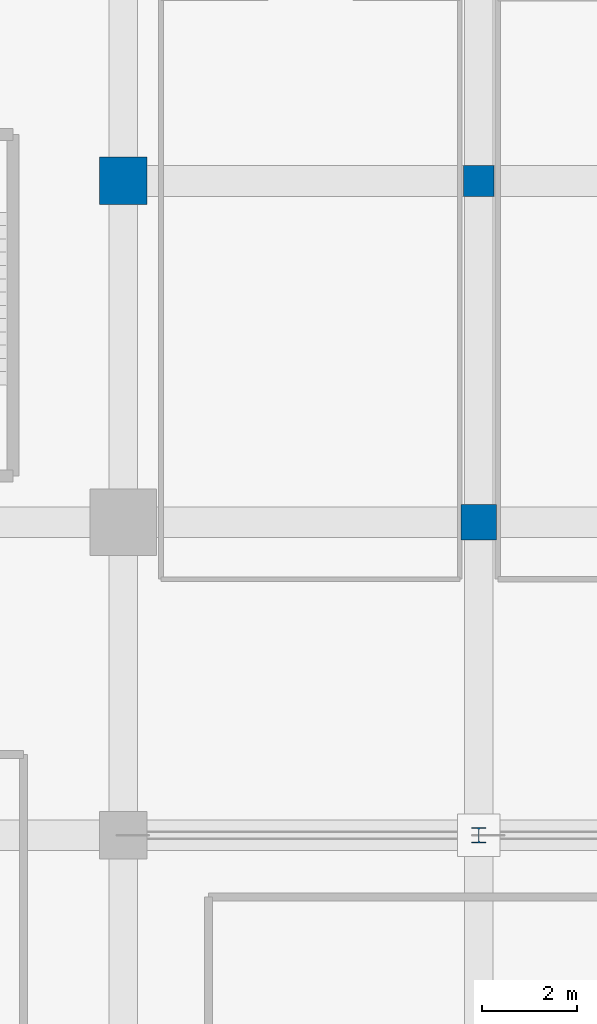
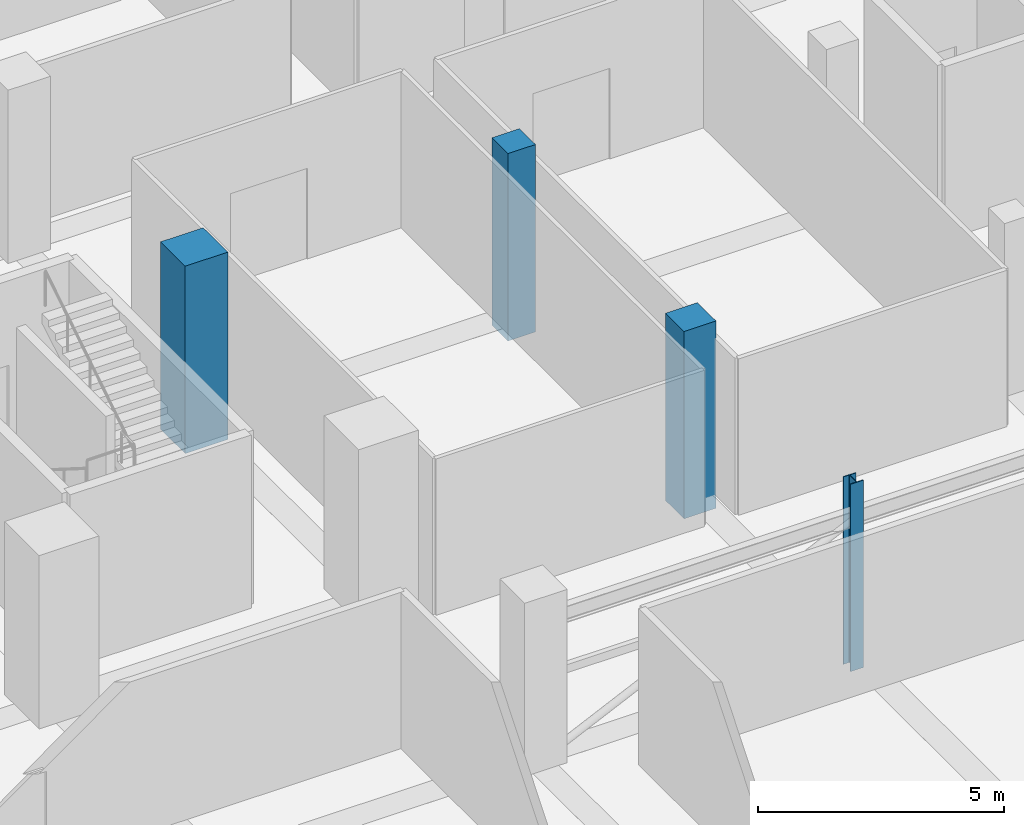
# One storey, part 2 of 33: 4 columns.
"""IFC4 building model written with IfcOpenShell, lengths in metres."""

from ifc_helpers import new_model, si_unit, direction, frame, origin, origin_2d, place, context, subcontext, project, spatial, rectangle, i_section, extrude, material, material_profile, profile_set, type_object, element, save


model = new_model("IFC4")

# Units and contexts
model_context = context("Model", 3, precision=1e-05, world=origin(), true_north=direction((0.0, 1.0)))
body_context = subcontext(model_context, "Body", "Model", "MODEL_VIEW")
ifc_project = project(units=[si_unit("LENGTHUNIT", "METRE"), si_unit("AREAUNIT", "SQUARE_METRE"), si_unit("VOLUMEUNIT", "CUBIC_METRE"), si_unit("PLANEANGLEUNIT", "RADIAN"), si_unit("MASSUNIT", "GRAM", prefix="KILO")], contexts=[model_context])

# Site, building, storey
site_placement = place(None, origin())
site = spatial("IfcSite", under=ifc_project, at=site_placement, CompositionType="ELEMENT")
building_placement = place(site_placement, origin())
building = spatial("IfcBuilding", under=site, at=building_placement, Name="Akrevak Sports Hall", CompositionType="ELEMENT")
storey_placement = place(building_placement, origin())
storey = spatial("IfcBuildingStorey", under=building, at=storey_placement, Name="L00", CompositionType="ELEMENT", Elevation=0.0)

# Columns
ifc_material_1 = material(Name="Concrete C50/60", Category="concrete")
ifc_material_profile_1 = material_profile(ifc_material_1, rectangle(XDim=1.0, YDim=1.0, at=origin_2d()), Name="RC 1000x1000", Category="concrete")
ifc_profile_set_1 = profile_set([ifc_material_profile_1], Name="Concrete C50/60")
column_type_1 = type_object("IfcColumnType", Name="STR-COL-RC1000", PredefinedType="COLUMN", material=ifc_profile_set_1)
column_1_placement = place(storey_placement, frame((115.5, 62.39990234375, -0.35009765625), z_axis=(0.0, 0.0, 1.0), x_axis=(1.0, 0.0, 0.0)))
element("IfcColumn", 1, at=column_1_placement, inside=storey, type_object=column_type_1, Name="Column 16/J (L00)", PredefinedType="COLUMN", context=body_context, shape_type="SweptSolid", body=[
    extrude(rectangle(XDim=1.0, YDim=1.0, at=origin_2d()), origin(), (0.0, 0.0, 1.0), 4.650146484375),
])
ifc_material_2 = material(Name="Concrete C40/50", Category="concrete")
ifc_material_profile_2 = material_profile(ifc_material_2, rectangle(XDim=0.64990234375, YDim=0.64990234375, at=origin_2d()), Name="RC 650x650", Category="concrete")
ifc_profile_set_2 = profile_set([ifc_material_profile_2], Name="Concrete C40/50")
column_type_2 = type_object("IfcColumnType", Name="STR-COL-RC650", PredefinedType="COLUMN", material=ifc_profile_set_2)
column_2_placement = place(storey_placement, frame((123.0, 62.39990234375, -0.35009765625), z_axis=(0.0, 0.0, 1.0), x_axis=(1.0, 0.0, 0.0)))
element("IfcColumn", 2, at=column_2_placement, inside=storey, type_object=column_type_2, Name="Column 17/J (L00)", PredefinedType="COLUMN", context=body_context, shape_type="SweptSolid", body=[
    extrude(rectangle(XDim=0.64990234375, YDim=0.64990234375, at=origin_2d()), origin(), (0.0, 0.0, 1.0), 4.650146484375),
])
ifc_material_profile_3 = material_profile(ifc_material_2, rectangle(XDim=0.75, YDim=0.75, at=origin_2d()), Name="RC 750x750", Category="concrete")
ifc_profile_set_3 = profile_set([ifc_material_profile_3], Name="Concrete C40/50")
column_type_3 = type_object("IfcColumnType", Name="STR-COL-RC750", PredefinedType="COLUMN", material=ifc_profile_set_3)
column_3_placement = place(storey_placement, frame((123.0, 55.199951171875, -0.35009765625), z_axis=(0.0, 0.0, 1.0), x_axis=(1.0, 0.0, 0.0)))
element("IfcColumn", 3, at=column_3_placement, inside=storey, type_object=column_type_3, Name="Column 17/I (L00)", PredefinedType="COLUMN", context=body_context, shape_type="SweptSolid", body=[
    extrude(rectangle(XDim=0.75, YDim=0.75, at=origin_2d()), origin(), (0.0, 0.0, 1.0), 4.650146484375),
])
ifc_material_3 = material(Name="Steel S355", Category="steel")
ifc_material_profile_4 = material_profile(ifc_material_3, i_section(OverallWidth=0.300048828125, OverallDepth=0.320068359375, WebThickness=0.011474609375, FlangeThickness=0.0205078125, FilletRadius=0.027099609375, at=origin_2d()), Name="HEB 320", Category="steel")
ifc_profile_set_4 = profile_set([ifc_material_profile_4], Name="Steel S355")
column_type_4 = type_object("IfcColumnType", Name="STR-COL-STL-HEB320", PredefinedType="COLUMN", material=ifc_profile_set_4)
column_4_placement = place(storey_placement, frame((123.0, 48.60009765625, -0.35009765625), z_axis=(0.0, 0.0, 1.0), x_axis=(1.0, 0.0, 0.0)))
element("IfcColumn", 4, at=column_4_placement, inside=storey, type_object=column_type_4, Name="Climbing Wall Steel Column SC-1 (L00)", PredefinedType="COLUMN", context=body_context, shape_type="SweptSolid", body=[
    extrude(i_section(OverallWidth=0.300048828125, OverallDepth=0.320068359375, WebThickness=0.011474609375, FlangeThickness=0.0205078125, FilletRadius=0.027099609375, at=origin_2d()), origin(), (0.0, 0.0, 1.0), 4.650146484375),
])

save(model, "model.ifc")
